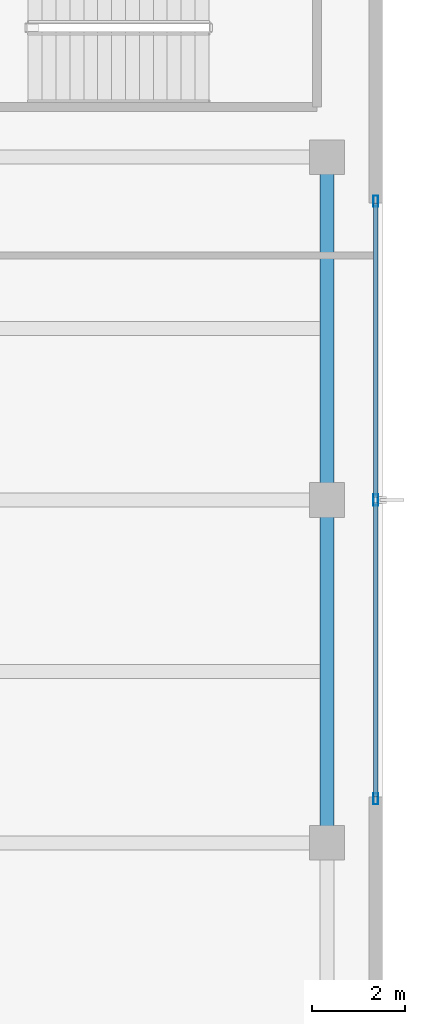
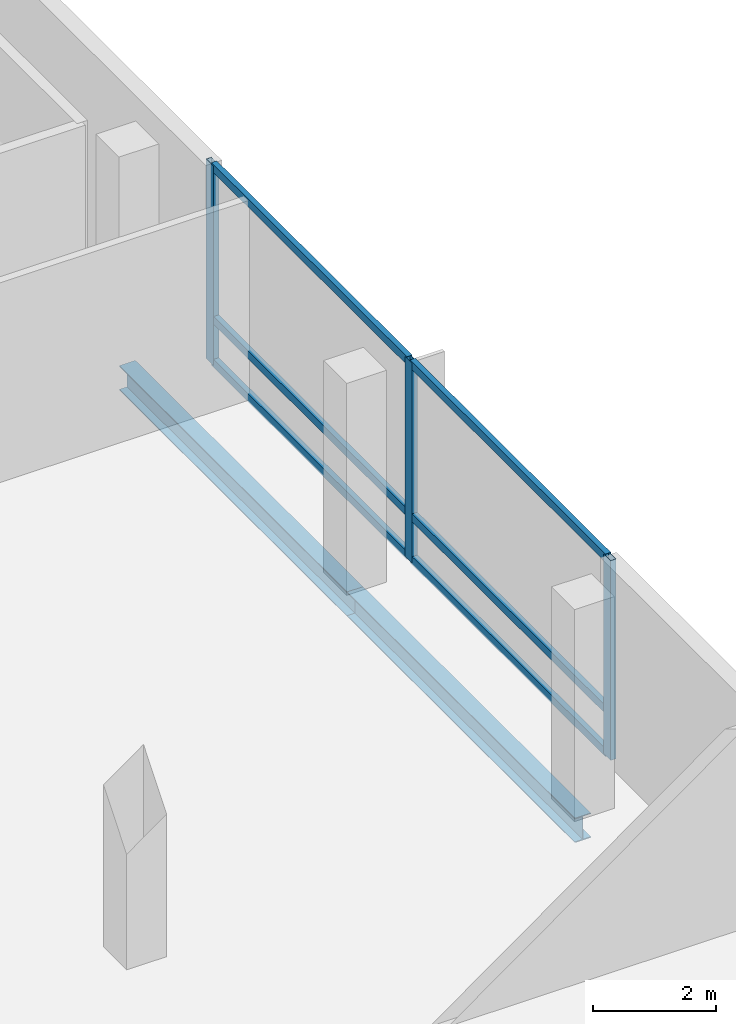
# One storey, part 6 of 19: 9 members, 2 beams, 1 element without a shape of its own.
"""IFC4 building model written with IfcOpenShell, lengths in metres."""

import ifcopenshell
import ifcopenshell.guid

model = None  # the IFC model being written
_history = None  # IfcOwnerHistory: only IFC2X3 demands one
_inside = {}  # id of a spatial element -> (the spatial element, [elements in it])
_under = {}  # id of a project, library or spatial element -> (it, [spatial elements below it])
_declared = {}  # id of a project -> (the project, [libraries it declares])
_typed = {}  # id of a type object -> (the type object, [elements of that type])
_made_of = {}  # id of a material, layer set ... -> (it, [elements and type objects made of it])


def new_model(schema):
    """Start an empty IFC model of exactly this schema.

    Asked for "IFC4X3", IfcOpenShell would pick the latest addendum, in which some entities
    have other attributes; the version numbers below select the first issue.
    IFC2X3 requires an IfcOwnerHistory on every rooted entity: one is made here for all.
    """
    global model, _history
    if schema == "IFC4X3":
        model = ifcopenshell.file(schema_version=(4, 3, 0, 0))
    else:
        model = ifcopenshell.file(schema=schema)
    _inside.clear()
    _under.clear()
    _declared.clear()
    _typed.clear()
    _made_of.clear()
    _history = None
    if model.schema == "IFC2X3":
        org = make("IfcOrganization", Name="unknown")
        user = make(
            "IfcPersonAndOrganization",
            ThePerson=make("IfcPerson", FamilyName="unknown"),
            TheOrganization=org,
        )
        app = make(
            "IfcApplication",
            ApplicationDeveloper=org,
            Version="unknown",
            ApplicationFullName="unknown",
            ApplicationIdentifier="unknown",
        )
        _history = make(
            "IfcOwnerHistory",
            OwningUser=user,
            OwningApplication=app,
            ChangeAction="ADDED",
            CreationDate=0,
        )
    return model


def make(cls, **values):
    """One entity of the class cls with the attributes given. An attribute that is None is left unset."""
    return model.create_entity(
        cls, **{name: value for name, value in values.items() if value is not None}
    )


def rooted(cls, **values):
    """An entity with a GlobalId (a new one), such as an element, a storey or a relation."""
    return make(cls, GlobalId=ifcopenshell.guid.new(), OwnerHistory=_history, **values)


def si_unit(unit_type, name, prefix=None):
    """IfcSIUnit, for example si_unit("LENGTHUNIT", "METRE", prefix="MILLI")."""
    return make("IfcSIUnit", UnitType=unit_type, Prefix=prefix, Name=name)


def assignment(units):
    """IfcUnitAssignment: the units of a project."""
    return None if units is None else make("IfcUnitAssignment", Units=units)


def point(xyz):
    """IfcCartesianPoint."""
    return None if xyz is None else make("IfcCartesianPoint", Coordinates=xyz)


def direction(xyz):
    """IfcDirection."""
    return None if xyz is None else make("IfcDirection", DirectionRatios=xyz)


def frame(location, z_axis=None, x_axis=None):
    """IfcAxis2Placement3D, a coordinate frame: its origin and axes. An axis left out is left unset."""
    return make(
        "IfcAxis2Placement3D",
        Location=point(location),
        Axis=direction(z_axis),
        RefDirection=direction(x_axis),
    )


def frame_2d(location, x_axis=None):
    """IfcAxis2Placement2D, a coordinate frame in the plane: its origin and x axis."""
    return make(
        "IfcAxis2Placement2D", Location=point(location), RefDirection=direction(x_axis)
    )


def origin():
    """The frame at (0, 0, 0) with its axes left unset."""
    return frame((0.0, 0.0, 0.0))


def origin_2d():
    """The frame at (0, 0) in the plane with its x axis left unset."""
    return frame_2d((0.0, 0.0))


def place(relative_to, where):
    """IfcLocalPlacement: puts the frame where relative to a parent placement (None: the world)."""
    return make(
        "IfcLocalPlacement", PlacementRelTo=relative_to, RelativePlacement=where
    )


def context(
    kind, dimensions, precision=None, world=None, true_north=None, identifier=None
):
    """IfcGeometricRepresentationContext, for example the 3D "Model" context."""
    return make(
        "IfcGeometricRepresentationContext",
        ContextIdentifier=identifier,
        ContextType=kind,
        CoordinateSpaceDimension=dimensions,
        Precision=precision,
        WorldCoordinateSystem=world,
        TrueNorth=true_north,
    )


def subcontext(parent, identifier, kind, view, scale=None):
    """IfcGeometricRepresentationSubContext, for example "Body" below "Model"."""
    return make(
        "IfcGeometricRepresentationSubContext",
        ContextIdentifier=identifier,
        ContextType=kind,
        ParentContext=parent,
        TargetScale=scale,
        TargetView=view,
    )


def project(units=None, contexts=None):
    """IfcProject with its units and contexts."""
    return rooted(
        "IfcProject",
        Name="project",
        RepresentationContexts=contexts,
        UnitsInContext=assignment(units),
    )


def spatial(cls, under=None, at=None, **own):
    """A site, building, storey or space (cls), placed at a placement, below another one or the project."""
    s = rooted(cls, ObjectPlacement=at, **own)
    if under is not None:
        _under.setdefault(under.id(), (under, []))[1].append(s)
    return s


def profile(cls, at=None, kind="AREA", **sizes):
    """A parametric profile (cls). Its sizes go by their IFC names, for example OverallWidth=200.0."""
    return make(cls, ProfileType=kind, Position=at, **sizes)


def hollow_rectangle(**sizes):
    """IfcRectangleHollowProfileDef."""
    return profile("IfcRectangleHollowProfileDef", **sizes)


def i_section(**sizes):
    """IfcIShapeProfileDef."""
    return profile("IfcIShapeProfileDef", **sizes)


def extrude(swept, where, along, depth):
    """IfcExtrudedAreaSolid: the profile swept, set in the frame where, extruded along a direction by depth."""
    return make(
        "IfcExtrudedAreaSolid",
        SweptArea=swept,
        Position=where,
        ExtrudedDirection=direction(along),
        Depth=depth,
    )


def shape(context_of_items, identifier, shape_type, items):
    """IfcShapeRepresentation: the items that make up one representation, for example the "Body"."""
    return make(
        "IfcShapeRepresentation",
        ContextOfItems=context_of_items,
        RepresentationIdentifier=identifier,
        RepresentationType=shape_type,
        Items=items,
    )


def material(Name=None, Category=None):
    """IfcMaterial."""
    return make("IfcMaterial", Name=Name, Category=Category)


def layer(
    of_material, thickness, ventilated=None, Name=None, Category=None, Priority=None
):
    """IfcMaterialLayer: one layer of a wall or slab, of a material (None: an air gap)."""
    return make(
        "IfcMaterialLayer",
        Material=of_material,
        LayerThickness=thickness,
        IsVentilated=ventilated,
        Name=Name,
        Category=Category,
        Priority=Priority,
    )


def layer_set(layers, Name=None):
    """IfcMaterialLayerSet."""
    return make("IfcMaterialLayerSet", MaterialLayers=layers, LayerSetName=Name)


def material_profile(
    of_material, cross_section, Name=None, Category=None, Priority=None
):
    """IfcMaterialProfile: a cross section and its material."""
    return make(
        "IfcMaterialProfile",
        Name=Name,
        Material=of_material,
        Profile=cross_section,
        Priority=Priority,
        Category=Category,
    )


def profile_set(profiles, Name=None, composite=None):
    """IfcMaterialProfileSet."""
    return make(
        "IfcMaterialProfileSet",
        Name=Name,
        MaterialProfiles=profiles,
        CompositeProfile=composite,
    )


def made_of(thing, what):
    """Note that an element or type object is made of a material, layer set ...; save() writes the relation."""
    if what is not None:
        _made_of.setdefault(what.id(), (what, []))[1].append(thing)
    return thing


def type_object(cls, material=None, **own):
    """A type object (cls), such as IfcWallType, which elements share."""
    return made_of(rooted(cls, **own), material)


def element(
    cls,
    number,
    at=None,
    inside=None,
    cuts=None,
    type_object=None,
    material=None,
    context=None,
    identifier="Body",
    shape_type=None,
    held_by="IfcProductDefinitionShape",
    body=None,
    shapes=None,
    **own,
):
    """One element of the class cls, such as IfcWall. Its Tag is "e" and its number.

    at: its placement. inside: the storey or other place that contains it. cuts: it is an
    opening in that element (IfcRelVoidsElement). A single representation is given by context,
    identifier, shape_type and body (its items); several are given by shapes. held_by: the class
    of the entity that holds the representations. save() writes the other relations.
    """
    e = rooted(cls, Tag="e%d" % number, ObjectPlacement=at, **own)
    if body is not None:
        shapes = [shape(context, identifier, shape_type, body)]
    if shapes is not None:
        e.Representation = make(held_by, Representations=shapes)
    if inside is not None:
        _inside.setdefault(inside.id(), (inside, []))[1].append(e)
    if cuts is not None:
        rooted(
            "IfcRelVoidsElement", RelatingBuildingElement=cuts, RelatedOpeningElement=e
        )
    if type_object is not None:
        _typed.setdefault(type_object.id(), (type_object, []))[1].append(e)
    return made_of(e, material)


def aggregate(whole, parts):
    """IfcRelAggregates: a whole, such as a stair, and the parts it consists of."""
    return rooted("IfcRelAggregates", RelatingObject=whole, RelatedObjects=parts)


def save(model, path):
    """Write the relations noted so far, then the file.

    IfcRelAggregates (storeys below a building ...), IfcRelContainedInSpatialStructure (elements
    in a storey), IfcRelDefinesByType, IfcRelAssociatesMaterial and IfcRelDeclares: one each for
    every whole, place, type object, material and project.
    """
    for whole, parts in _under.values():
        aggregate(whole, parts)
    for where, things in _inside.values():
        rooted(
            "IfcRelContainedInSpatialStructure",
            RelatedElements=things,
            RelatingStructure=where,
        )
    for kind, things in _typed.values():
        rooted("IfcRelDefinesByType", RelatedObjects=things, RelatingType=kind)
    for what, things in _made_of.values():
        rooted("IfcRelAssociatesMaterial", RelatedObjects=things, RelatingMaterial=what)
    for by, libraries in _declared.values():
        rooted("IfcRelDeclares", RelatingContext=by, RelatedDefinitions=libraries)
    model.write(path)


model = new_model("IFC4")

# Units and contexts
model_context = context("Model", 3, precision=1e-05, world=origin(), true_north=direction((0.0, 1.0)))
body_context = subcontext(model_context, "Body", "Model", "MODEL_VIEW")
ifc_project = project(units=[si_unit("LENGTHUNIT", "METRE"), si_unit("AREAUNIT", "SQUARE_METRE"), si_unit("VOLUMEUNIT", "CUBIC_METRE"), si_unit("PLANEANGLEUNIT", "RADIAN"), si_unit("MASSUNIT", "GRAM", prefix="KILO")], contexts=[model_context])

# Site, building, storey
site_placement = place(None, origin())
site = spatial("IfcSite", under=ifc_project, at=site_placement, CompositionType="ELEMENT")
building_placement = place(site_placement, origin())
building = spatial("IfcBuilding", under=site, at=building_placement, Name="Khorvyn Point Tower", CompositionType="ELEMENT")
storey_placement = place(building_placement, frame((0.0, 0.0, 13.199951171875)))
storey = spatial("IfcBuildingStorey", under=building, at=storey_placement, Name="L04", CompositionType="ELEMENT", Elevation=13.199951171875)

# Curtain wall, members
ifc_material_1 = material(Name="Anodised aluminium 6063-T6 and laminated Low-E glass", Category="aluminium")
ifc_layer = layer(ifc_material_1, 0.18994140625)
ifc_layer_set = layer_set([ifc_layer], Name="Stick-Built Low-E Podium Curtain Wall CW-SYS-01")
curtain_wall_type = type_object("IfcCurtainWallType", Name="Stick-Built Low-E Podium Curtain Wall CW-SYS-01", PredefinedType="NOTDEFINED", material=ifc_layer_set)
curtain_wall_placement = place(storey_placement, origin())
curtain_wall = element("IfcCurtainWall", 1, at=curtain_wall_placement, inside=storey, type_object=curtain_wall_type, Name="Curtain Wall", PredefinedType="NOTDEFINED")
ifc_material_2 = material(Name="Anodised aluminium 6063-T6", Category="aluminium")
ifc_material_profile_1 = material_profile(ifc_material_2, hollow_rectangle(XDim=0.10009765625, YDim=0.239990234375, WallThickness=0.0048828125, at=origin_2d()))
ifc_profile_set_1 = profile_set([ifc_material_profile_1], Name="Anodised aluminium 6063-T6 ALU-MUL-100x240")
member_type_1 = type_object("IfcMemberType", Name="Anodised Aluminium 6063-T6 Mullion ALU-MUL-100x240", PredefinedType="MULLION", material=ifc_profile_set_1)
member_1_placement = place(storey_placement, frame((33.449951171875, -6.449951171875, 0.0), z_axis=(0.0, 0.0, 1.0), x_axis=(-1.0, 0.0, 0.0)))
member_1 = element("IfcMember", 2, at=member_1_placement, type_object=member_type_1, Name="Transom", PredefinedType="MULLION", context=body_context, shape_type="SweptSolid", body=[
    extrude(hollow_rectangle(XDim=0.10009765625, YDim=0.239990234375, WallThickness=0.0048828125, at=origin_2d()), origin(), (0.0, 0.0, 1.0), 3.9599609375),
])
member_2_placement = place(storey_placement, frame((33.449951171875, 0.0, 0.0), z_axis=(0.0, 0.0, 1.0), x_axis=(-1.0, 0.0, 0.0)))
member_2 = element("IfcMember", 3, at=member_2_placement, type_object=member_type_1, Name="Transom", PredefinedType="MULLION", context=body_context, shape_type="SweptSolid", body=[
    extrude(hollow_rectangle(XDim=0.10009765625, YDim=0.239990234375, WallThickness=0.0048828125, at=origin_2d()), origin(), (0.0, 0.0, 1.0), 3.9599609375),
])
member_3_placement = place(storey_placement, frame((33.449951171875, 6.449951171875, 0.0), z_axis=(0.0, 0.0, 1.0), x_axis=(-1.0, 0.0, 0.0)))
member_3 = element("IfcMember", 4, at=member_3_placement, type_object=member_type_1, Name="Transom", PredefinedType="MULLION", context=body_context, shape_type="SweptSolid", body=[
    extrude(hollow_rectangle(XDim=0.10009765625, YDim=0.239990234375, WallThickness=0.0048828125, at=origin_2d()), origin(), (0.0, 0.0, 1.0), 3.9599609375),
])
ifc_material_profile_2 = material_profile(ifc_material_2, hollow_rectangle(XDim=0.10009765625, YDim=0.159912109375, WallThickness=0.00439453125, at=origin_2d()))
ifc_profile_set_2 = profile_set([ifc_material_profile_2], Name="Anodised aluminium 6063-T6 ALU-TRN-100x160")
member_type_2 = type_object("IfcMemberType", Name="Anodised Aluminium 6063-T6 Transom ALU-TRN-100x160", PredefinedType="USERDEFINED", material=ifc_profile_set_2)
member_4_placement = place(storey_placement, frame((33.449951171875, -6.39990234375, 0.050048828125), z_axis=(0.0, 1.0, 0.0), x_axis=(-1.0, 0.0, 0.0)))
member_4 = element("IfcMember", 5, at=member_4_placement, type_object=member_type_2, Name="Transom", ObjectType="TRANSOM", PredefinedType="USERDEFINED", context=body_context, shape_type="SweptSolid", body=[
    extrude(hollow_rectangle(XDim=0.10009765625, YDim=0.159912109375, WallThickness=0.00439453125, at=origin_2d()), origin(), (0.0, 0.0, 1.0), 6.349853515625),
])
member_5_placement = place(storey_placement, frame((33.449951171875, -6.39990234375, 0.900146484375), z_axis=(0.0, 1.0, 0.0), x_axis=(-1.0, 0.0, 0.0)))
member_5 = element("IfcMember", 6, at=member_5_placement, type_object=member_type_2, Name="Transom", ObjectType="TRANSOM", PredefinedType="USERDEFINED", context=body_context, shape_type="SweptSolid", body=[
    extrude(hollow_rectangle(XDim=0.10009765625, YDim=0.159912109375, WallThickness=0.00439453125, at=origin_2d()), origin(), (0.0, 0.0, 1.0), 6.349853515625),
])
member_6_placement = place(storey_placement, frame((33.449951171875, -6.39990234375, 3.91015625), z_axis=(0.0, 1.0, 0.0), x_axis=(-1.0, 0.0, 0.0)))
member_6 = element("IfcMember", 7, at=member_6_placement, type_object=member_type_2, Name="Transom", ObjectType="TRANSOM", PredefinedType="USERDEFINED", context=body_context, shape_type="SweptSolid", body=[
    extrude(hollow_rectangle(XDim=0.10009765625, YDim=0.159912109375, WallThickness=0.00439453125, at=origin_2d()), origin(), (0.0, 0.0, 1.0), 6.349853515625),
])
member_7_placement = place(storey_placement, frame((33.449951171875, 0.050048828125, 0.050048828125), z_axis=(0.0, 1.0, 0.0), x_axis=(-1.0, 0.0, 0.0)))
member_7 = element("IfcMember", 8, at=member_7_placement, type_object=member_type_2, Name="Transom", ObjectType="TRANSOM", PredefinedType="USERDEFINED", context=body_context, shape_type="SweptSolid", body=[
    extrude(hollow_rectangle(XDim=0.10009765625, YDim=0.159912109375, WallThickness=0.00439453125, at=origin_2d()), origin(), (0.0, 0.0, 1.0), 6.349853515625),
])
member_8_placement = place(storey_placement, frame((33.449951171875, 0.050048828125, 0.900146484375), z_axis=(0.0, 1.0, 0.0), x_axis=(-1.0, 0.0, 0.0)))
member_8 = element("IfcMember", 9, at=member_8_placement, type_object=member_type_2, Name="Transom", ObjectType="TRANSOM", PredefinedType="USERDEFINED", context=body_context, shape_type="SweptSolid", body=[
    extrude(hollow_rectangle(XDim=0.10009765625, YDim=0.159912109375, WallThickness=0.00439453125, at=origin_2d()), origin(), (0.0, 0.0, 1.0), 6.349853515625),
])
member_9_placement = place(storey_placement, frame((33.449951171875, 0.050048828125, 3.91015625), z_axis=(0.0, 1.0, 0.0), x_axis=(-1.0, 0.0, 0.0)))
member_9 = element("IfcMember", 10, at=member_9_placement, type_object=member_type_2, Name="Transom", ObjectType="TRANSOM", PredefinedType="USERDEFINED", context=body_context, shape_type="SweptSolid", body=[
    extrude(hollow_rectangle(XDim=0.10009765625, YDim=0.159912109375, WallThickness=0.00439453125, at=origin_2d()), origin(), (0.0, 0.0, 1.0), 6.349853515625),
])
aggregate(curtain_wall, [member_1, member_2, member_3, member_4, member_5, member_6, member_7, member_8, member_9])

# Beams
ifc_material_3 = material(Name="Steel S355", Category="steel")
ifc_material_profile_3 = material_profile(ifc_material_3, i_section(OverallWidth=0.300048828125, OverallDepth=0.488037109375, WebThickness=0.010986328125, FlangeThickness=0.01806640625, at=origin_2d()))
ifc_profile_set_3 = profile_set([ifc_material_profile_3], Name="Steel S355 H488x300x11x18")
beam_type = type_object("IfcBeamType", Name="Steel S355 Spandrel H488x300x11x18", PredefinedType="SPANDREL", material=ifc_profile_set_3)
for number, where, z_axis, x_axis, name in (
    (11, (32.39990234375, -7.39990234375, -0.48388671875), (0.0, 1.0, 0.0), (-1.0, 0.0, 0.0), "Beam"),
    (12, (32.39990234375, 0.0, -0.48388671875), (0.0, 1.0, 0.0), (-1.0, 0.0, 0.0), "Beam"),
):
    element("IfcBeam", number, at=place(storey_placement, frame(where, z_axis=z_axis, x_axis=x_axis)), inside=storey, type_object=beam_type, Name=name, PredefinedType="SPANDREL", context=body_context, shape_type="SweptSolid", body=[
        extrude(i_section(OverallWidth=0.300048828125, OverallDepth=0.488037109375, WebThickness=0.010986328125, FlangeThickness=0.01806640625, at=origin_2d()), origin(), (0.0, 0.0, 1.0), 7.39990234375),
    ])

save(model, "model.ifc")
